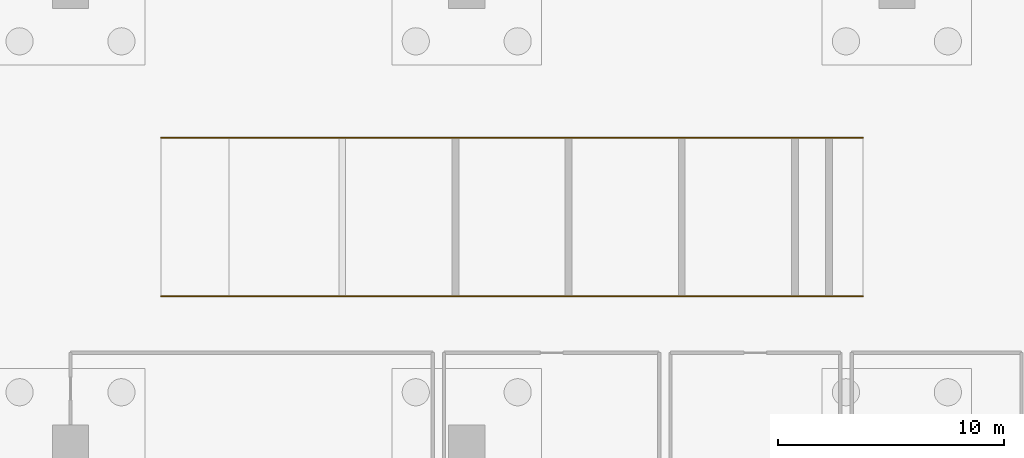
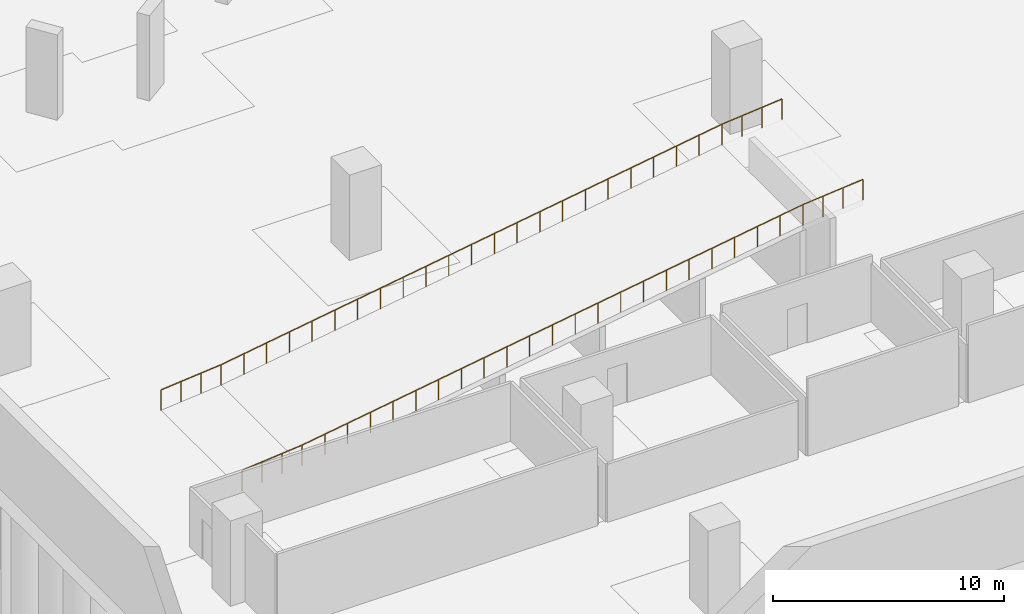
# One storey, part 10 of 13: 2 railings.
"""IFC4 building model written with IfcOpenShell, lengths in metres."""

from ifc_helpers import new_model, si_unit, direction, frame, origin, origin_2d, place, context, subcontext, project, spatial, circle, extrude, material, type_object, element, save


model = new_model("IFC4")

# Units and contexts
model_context = context("Model", 3, precision=1e-05, world=origin(), true_north=direction((0.0, 1.0)))
body_context = subcontext(model_context, "Body", "Model", "MODEL_VIEW")
ifc_project = project(units=[si_unit("LENGTHUNIT", "METRE"), si_unit("AREAUNIT", "SQUARE_METRE"), si_unit("VOLUMEUNIT", "CUBIC_METRE"), si_unit("PLANEANGLEUNIT", "RADIAN"), si_unit("MASSUNIT", "GRAM", prefix="KILO")], contexts=[model_context])

# Site, building, storey
site_placement = place(None, origin())
site = spatial("IfcSite", under=ifc_project, at=site_placement, CompositionType="ELEMENT")
building_placement = place(site_placement, origin())
building = spatial("IfcBuilding", under=site, at=building_placement, Name="Tel Ilan Convention Tower", CompositionType="ELEMENT")
storey_placement = place(building_placement, frame((0.0, 0.0, -9.0)))
storey = spatial("IfcBuildingStorey", under=building, at=storey_placement, Name="B2", CompositionType="ELEMENT", Elevation=-9.0)

# Railings
ifc_material = material(Name="Stainless Steel Grade 316", Category="steel")
railing_type = type_object("IfcRailingType", Name="Stainless Steel Ramp Guard 1100 mm", PredefinedType="GUARDRAIL", material=ifc_material)
railing_1_placement = place(storey_placement, frame((-42.0, -61.5, 0.0)))
element("IfcRailing", 1, at=railing_1_placement, inside=storey, type_object=railing_type, Name="Car Park Ramp B2-B1 guard 1", PredefinedType="GUARDRAIL", context=body_context, shape_type="SweptSolid", body=[
    extrude(circle(Radius=0.02392578125, at=origin_2d()), frame((0.0, 0.0, 1.076171875), z_axis=(0.995671796009, 0.0, 0.092939090985), x_axis=(0.0, 1.0, 0.0)), (0.0, 0.0, 1.0), 3.012939453125),
    extrude(circle(Radius=0.02392578125, at=origin_2d()), frame((3.0, 0.0, 1.35595703125), z_axis=(0.987808132322, 0.0, 0.155676246479), x_axis=(0.0, 1.0, 0.0)), (0.0, 0.0, 1.0), 25.30859375),
    extrude(circle(Radius=0.02392578125, at=origin_2d()), frame((28.0, 0.0, 5.2958984375), z_axis=(0.995671796009, 0.0, 0.092939090985), x_axis=(0.0, 1.0, 0.0)), (0.0, 0.0, 1.0), 3.012939453125),
    extrude(circle(Radius=0.02099609375, at=origin_2d()), origin(), (0.0, 0.0, 1.0), 1.052001953125),
    extrude(circle(Radius=0.02099609375, at=origin_2d()), frame((1.0, 0.0, 0.09326171875)), (0.0, 0.0, 1.0), 1.052001953125),
    extrude(circle(Radius=0.02099609375, at=origin_2d()), frame((2.0, 0.0, 0.186767578125)), (0.0, 0.0, 1.0), 1.052001953125),
    extrude(circle(Radius=0.02099609375, at=origin_2d()), frame((3.0, 0.0, 0.280029296875)), (0.0, 0.0, 1.0), 1.052001953125),
    extrude(circle(Radius=0.02099609375, at=origin_2d()), frame((4.136474609375, 0.0, 0.459228515625)), (0.0, 0.0, 1.0), 1.052001953125),
    extrude(circle(Radius=0.02099609375, at=origin_2d()), frame((5.272705078125, 0.0, 0.63818359375)), (0.0, 0.0, 1.0), 1.052001953125),
    extrude(circle(Radius=0.02099609375, at=origin_2d()), frame((6.4091796875, 0.0, 0.8173828125)), (0.0, 0.0, 1.0), 1.052001953125),
    extrude(circle(Radius=0.02099609375, at=origin_2d()), frame((7.54541015625, 0.0, 0.996337890625)), (0.0, 0.0, 1.0), 1.052001953125),
    extrude(circle(Radius=0.02099609375, at=origin_2d()), frame((8.681884765625, 0.0, 1.175537109375)), (0.0, 0.0, 1.0), 1.052001953125),
    extrude(circle(Radius=0.02099609375, at=origin_2d()), frame((9.818115234375, 0.0, 1.3544921875)), (0.0, 0.0, 1.0), 1.052001953125),
    extrude(circle(Radius=0.02099609375, at=origin_2d()), frame((10.95458984375, 0.0, 1.53369140625)), (0.0, 0.0, 1.0), 1.052001953125),
    extrude(circle(Radius=0.02099609375, at=origin_2d()), frame((12.0908203125, 0.0, 1.712646484375)), (0.0, 0.0, 1.0), 1.052001953125),
    extrude(circle(Radius=0.02099609375, at=origin_2d()), frame((13.227294921875, 0.0, 1.891845703125)), (0.0, 0.0, 1.0), 1.052001953125),
    extrude(circle(Radius=0.02099609375, at=origin_2d()), frame((14.363525390625, 0.0, 2.07080078125)), (0.0, 0.0, 1.0), 1.052001953125),
    extrude(circle(Radius=0.02099609375, at=origin_2d()), frame((15.5, 0.0, 2.25)), (0.0, 0.0, 1.0), 1.052001953125),
    extrude(circle(Radius=0.02099609375, at=origin_2d()), frame((16.636474609375, 0.0, 2.42919921875)), (0.0, 0.0, 1.0), 1.052001953125),
    extrude(circle(Radius=0.02099609375, at=origin_2d()), frame((17.772705078125, 0.0, 2.608154296875)), (0.0, 0.0, 1.0), 1.052001953125),
    extrude(circle(Radius=0.02099609375, at=origin_2d()), frame((18.9091796875, 0.0, 2.787353515625)), (0.0, 0.0, 1.0), 1.052001953125),
    extrude(circle(Radius=0.02099609375, at=origin_2d()), frame((20.04541015625, 0.0, 2.96630859375)), (0.0, 0.0, 1.0), 1.052001953125),
    extrude(circle(Radius=0.02099609375, at=origin_2d()), frame((21.181884765625, 0.0, 3.1455078125)), (0.0, 0.0, 1.0), 1.052001953125),
    extrude(circle(Radius=0.02099609375, at=origin_2d()), frame((22.318115234375, 0.0, 3.324462890625)), (0.0, 0.0, 1.0), 1.052001953125),
    extrude(circle(Radius=0.02099609375, at=origin_2d()), frame((23.45458984375, 0.0, 3.503662109375)), (0.0, 0.0, 1.0), 1.052001953125),
    extrude(circle(Radius=0.02099609375, at=origin_2d()), frame((24.5908203125, 0.0, 3.6826171875)), (0.0, 0.0, 1.0), 1.052001953125),
    extrude(circle(Radius=0.02099609375, at=origin_2d()), frame((25.727294921875, 0.0, 3.86181640625)), (0.0, 0.0, 1.0), 1.052001953125),
    extrude(circle(Radius=0.02099609375, at=origin_2d()), frame((26.863525390625, 0.0, 4.040771484375)), (0.0, 0.0, 1.0), 1.052001953125),
    extrude(circle(Radius=0.02099609375, at=origin_2d()), frame((28.0, 0.0, 4.219970703125)), (0.0, 0.0, 1.0), 1.052001953125),
    extrude(circle(Radius=0.02099609375, at=origin_2d()), frame((29.0, 0.0, 4.313232421875)), (0.0, 0.0, 1.0), 1.052001953125),
    extrude(circle(Radius=0.02099609375, at=origin_2d()), frame((30.0, 0.0, 4.40673828125)), (0.0, 0.0, 1.0), 1.052001953125),
    extrude(circle(Radius=0.02099609375, at=origin_2d()), frame((31.0, 0.0, 4.5)), (0.0, 0.0, 1.0), 1.052001953125),
])
railing_2_placement = place(storey_placement, frame((-42.0, -54.5, 0.0)))
element("IfcRailing", 2, at=railing_2_placement, inside=storey, type_object=railing_type, Name="Car Park Ramp B2-B1 guard 2", PredefinedType="GUARDRAIL", context=body_context, shape_type="SweptSolid", body=[
    extrude(circle(Radius=0.02392578125, at=origin_2d()), frame((0.0, 0.0, 1.076171875), z_axis=(0.995671796009, 0.0, 0.092939090985), x_axis=(0.0, 1.0, 0.0)), (0.0, 0.0, 1.0), 3.012939453125),
    extrude(circle(Radius=0.02392578125, at=origin_2d()), frame((3.0, 0.0, 1.35595703125), z_axis=(0.987808132322, 0.0, 0.155676246479), x_axis=(0.0, 1.0, 0.0)), (0.0, 0.0, 1.0), 25.30859375),
    extrude(circle(Radius=0.02392578125, at=origin_2d()), frame((28.0, 0.0, 5.2958984375), z_axis=(0.995671796009, 0.0, 0.092939090985), x_axis=(0.0, 1.0, 0.0)), (0.0, 0.0, 1.0), 3.012939453125),
    extrude(circle(Radius=0.02099609375, at=origin_2d()), origin(), (0.0, 0.0, 1.0), 1.052001953125),
    extrude(circle(Radius=0.02099609375, at=origin_2d()), frame((1.0, 0.0, 0.09326171875)), (0.0, 0.0, 1.0), 1.052001953125),
    extrude(circle(Radius=0.02099609375, at=origin_2d()), frame((2.0, 0.0, 0.186767578125)), (0.0, 0.0, 1.0), 1.052001953125),
    extrude(circle(Radius=0.02099609375, at=origin_2d()), frame((3.0, 0.0, 0.280029296875)), (0.0, 0.0, 1.0), 1.052001953125),
    extrude(circle(Radius=0.02099609375, at=origin_2d()), frame((4.136474609375, 0.0, 0.459228515625)), (0.0, 0.0, 1.0), 1.052001953125),
    extrude(circle(Radius=0.02099609375, at=origin_2d()), frame((5.272705078125, 0.0, 0.63818359375)), (0.0, 0.0, 1.0), 1.052001953125),
    extrude(circle(Radius=0.02099609375, at=origin_2d()), frame((6.4091796875, 0.0, 0.8173828125)), (0.0, 0.0, 1.0), 1.052001953125),
    extrude(circle(Radius=0.02099609375, at=origin_2d()), frame((7.54541015625, 0.0, 0.996337890625)), (0.0, 0.0, 1.0), 1.052001953125),
    extrude(circle(Radius=0.02099609375, at=origin_2d()), frame((8.681884765625, 0.0, 1.175537109375)), (0.0, 0.0, 1.0), 1.052001953125),
    extrude(circle(Radius=0.02099609375, at=origin_2d()), frame((9.818115234375, 0.0, 1.3544921875)), (0.0, 0.0, 1.0), 1.052001953125),
    extrude(circle(Radius=0.02099609375, at=origin_2d()), frame((10.95458984375, 0.0, 1.53369140625)), (0.0, 0.0, 1.0), 1.052001953125),
    extrude(circle(Radius=0.02099609375, at=origin_2d()), frame((12.0908203125, 0.0, 1.712646484375)), (0.0, 0.0, 1.0), 1.052001953125),
    extrude(circle(Radius=0.02099609375, at=origin_2d()), frame((13.227294921875, 0.0, 1.891845703125)), (0.0, 0.0, 1.0), 1.052001953125),
    extrude(circle(Radius=0.02099609375, at=origin_2d()), frame((14.363525390625, 0.0, 2.07080078125)), (0.0, 0.0, 1.0), 1.052001953125),
    extrude(circle(Radius=0.02099609375, at=origin_2d()), frame((15.5, 0.0, 2.25)), (0.0, 0.0, 1.0), 1.052001953125),
    extrude(circle(Radius=0.02099609375, at=origin_2d()), frame((16.636474609375, 0.0, 2.42919921875)), (0.0, 0.0, 1.0), 1.052001953125),
    extrude(circle(Radius=0.02099609375, at=origin_2d()), frame((17.772705078125, 0.0, 2.608154296875)), (0.0, 0.0, 1.0), 1.052001953125),
    extrude(circle(Radius=0.02099609375, at=origin_2d()), frame((18.9091796875, 0.0, 2.787353515625)), (0.0, 0.0, 1.0), 1.052001953125),
    extrude(circle(Radius=0.02099609375, at=origin_2d()), frame((20.04541015625, 0.0, 2.96630859375)), (0.0, 0.0, 1.0), 1.052001953125),
    extrude(circle(Radius=0.02099609375, at=origin_2d()), frame((21.181884765625, 0.0, 3.1455078125)), (0.0, 0.0, 1.0), 1.052001953125),
    extrude(circle(Radius=0.02099609375, at=origin_2d()), frame((22.318115234375, 0.0, 3.324462890625)), (0.0, 0.0, 1.0), 1.052001953125),
    extrude(circle(Radius=0.02099609375, at=origin_2d()), frame((23.45458984375, 0.0, 3.503662109375)), (0.0, 0.0, 1.0), 1.052001953125),
    extrude(circle(Radius=0.02099609375, at=origin_2d()), frame((24.5908203125, 0.0, 3.6826171875)), (0.0, 0.0, 1.0), 1.052001953125),
    extrude(circle(Radius=0.02099609375, at=origin_2d()), frame((25.727294921875, 0.0, 3.86181640625)), (0.0, 0.0, 1.0), 1.052001953125),
    extrude(circle(Radius=0.02099609375, at=origin_2d()), frame((26.863525390625, 0.0, 4.040771484375)), (0.0, 0.0, 1.0), 1.052001953125),
    extrude(circle(Radius=0.02099609375, at=origin_2d()), frame((28.0, 0.0, 4.219970703125)), (0.0, 0.0, 1.0), 1.052001953125),
    extrude(circle(Radius=0.02099609375, at=origin_2d()), frame((29.0, 0.0, 4.313232421875)), (0.0, 0.0, 1.0), 1.052001953125),
    extrude(circle(Radius=0.02099609375, at=origin_2d()), frame((30.0, 0.0, 4.40673828125)), (0.0, 0.0, 1.0), 1.052001953125),
    extrude(circle(Radius=0.02099609375, at=origin_2d()), frame((31.0, 0.0, 4.5)), (0.0, 0.0, 1.0), 1.052001953125),
])

save(model, "model.ifc")
